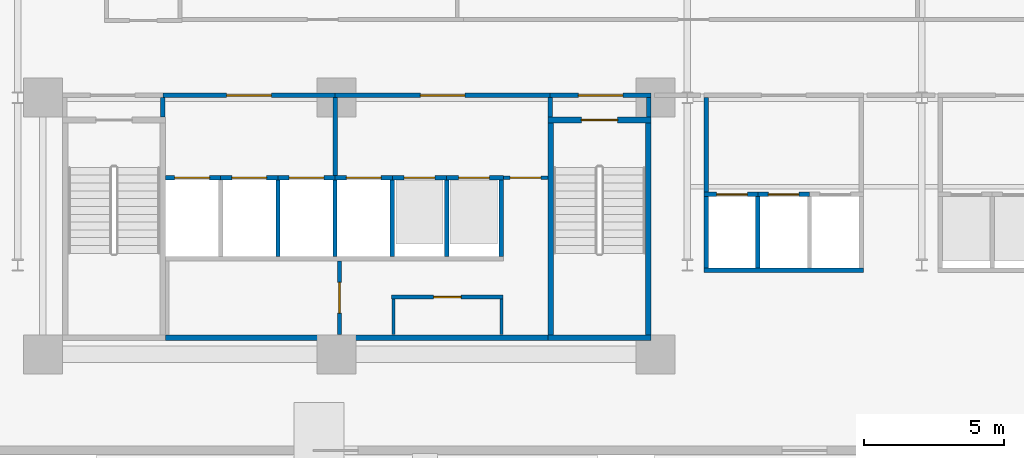
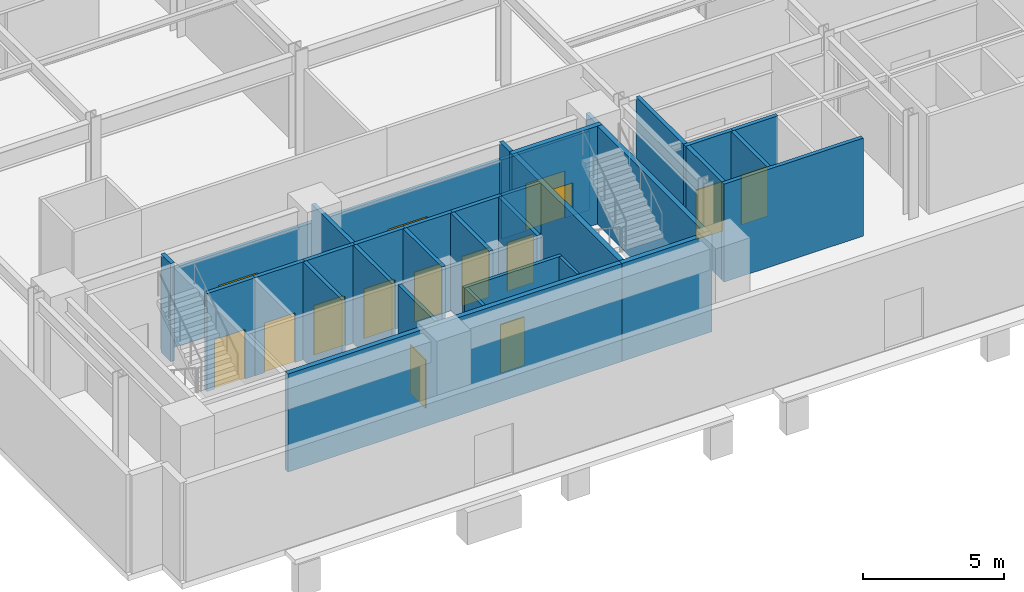
# One storey, part 13 of 26: 34 walls, 15 doors, 15 openings.
"""IFC4 building model written with IfcOpenShell, lengths in metres."""

from ifc_helpers import new_model, si_unit, direction, frame, frame_2d, origin, place, context, subcontext, project, spatial, rectangle, extrude, material, layer, layer_set, type_object, element, fill, save


model = new_model("IFC4")

# Units and contexts
model_context = context("Model", 3, precision=1e-05, world=origin(), true_north=direction((0.0, 1.0)))
body_context = subcontext(model_context, "Body", "Model", "MODEL_VIEW")
ifc_project = project(units=[si_unit("LENGTHUNIT", "METRE"), si_unit("AREAUNIT", "SQUARE_METRE"), si_unit("VOLUMEUNIT", "CUBIC_METRE"), si_unit("PLANEANGLEUNIT", "RADIAN"), si_unit("MASSUNIT", "GRAM", prefix="KILO")], contexts=[model_context])

# Site, building, storey
site_placement = place(None, origin())
site = spatial("IfcSite", under=ifc_project, at=site_placement, CompositionType="ELEMENT")
building_placement = place(site_placement, origin())
building = spatial("IfcBuilding", under=site, at=building_placement, Name="Varnakote Quay Hospital", CompositionType="ELEMENT")
storey_placement = place(building_placement, origin())
storey = spatial("IfcBuildingStorey", under=building, at=storey_placement, Name="L00", CompositionType="ELEMENT", Elevation=0.0)

# Wall
ifc_material_1 = material(Name="Fire-rated acoustic gypsum stud wall", Category="gypsum")
ifc_layer_1 = layer(ifc_material_1, 0.159912109375)
ifc_layer_set_1 = layer_set([ifc_layer_1], Name="Fire-rated acoustic gypsum stud wall")
wall_type_1 = type_object("IfcWallType", Name="WL-COMP-160", PredefinedType="PARTITIONING", material=ifc_layer_set_1)
wall_1_placement = place(storey_placement, frame((6.39990234375, 11.300048828125, 0.0), z_axis=(0.0, 0.0, 1.0), x_axis=(0.0, 1.0, 0.0)))
element("IfcWall", 1, at=wall_1_placement, inside=storey, type_object=wall_type_1, Name="L00 Firefighting Lobby West Wall", PredefinedType="PARTITIONING", context=body_context, shape_type="SweptSolid", body=[
    extrude(rectangle(XDim=0.699951171875, YDim=0.159912109375, at=frame_2d((0.35009765625, 0.0))), origin(), (0.0, 0.0, 1.0), 4.25),
])

# Wall, opening, door
wall_2_placement = place(storey_placement, frame((6.39990234375, 12.080078125, 0.0), z_axis=(0.0, 0.0, 1.0), x_axis=(1.0, 0.0, 0.0)))
wall_2 = element("IfcWall", 2, at=wall_2_placement, inside=storey, type_object=wall_type_1, Name="L00 Firefighting Lift Lobby Compartment Wall", PredefinedType="PARTITIONING", context=body_context, shape_type="SweptSolid", body=[
    extrude(rectangle(XDim=6.18017578125, YDim=0.159912109375, at=frame_2d((3.090087890625, 0.0))), origin(), (0.0, 0.0, 1.0), 3.425048828125),
])
opening_1_placement = place(wall_2_placement, frame((2.2900390625, 0.0, 0.0)))
opening_1 = element("IfcOpeningElement", 3, at=opening_1_placement, cuts=wall_2, Name="Opening D-FFL-L00", PredefinedType="OPENING", context=body_context, shape_type="SweptSolid", body=[
    extrude(rectangle(XDim=1.60009765625, YDim=2.050048828125, at=frame_2d((0.800048828125, 1.02490234375))), frame((0.0, 0.08984375, 0.0), z_axis=(0.0, -1.0, 0.0), x_axis=(1.0, 0.0, 0.0)), (0.0, 0.0, 1.0), 0.179931640625),
])
ifc_material_2 = material(Name="Fire-rated double smoke lobby door")
door_type_1 = type_object("IfcDoorType", Name="DR-LOBBY-FD60S-1600x2150", OperationType="NOTDEFINED", PredefinedType="DOOR", material=ifc_material_2)
door_1_placement = place(opening_1_placement, origin())
door_1 = element("IfcDoor", 4, at=door_1_placement, inside=storey, type_object=door_type_1, Name="L00 Firefighting Smoke Vestibule Door", OperationType="DOUBLE_DOOR_SINGLE_SWING", OverallHeight=2.050048828125, OverallWidth=1.60009765625, PredefinedType="DOOR", context=body_context, shape_type="SweptSolid", body=[
    extrude(rectangle(XDim=1.60009765625, YDim=2.050048828125, at=frame_2d((0.800048828125, 1.02490234375))), frame((0.0, 0.02490234375, 0.0), z_axis=(0.0, -1.0, 0.0), x_axis=(1.0, 0.0, 0.0)), (0.0, 0.0, 1.0), 0.050048828125),
])
fill(opening_1, door_1)

# Wall
wall_3_placement = place(storey_placement, frame((12.580078125, 9.2099609375, 0.0), z_axis=(0.0, 0.0, 1.0), x_axis=(0.0, 1.0, 0.0)))
element("IfcWall", 5, at=wall_3_placement, inside=storey, type_object=wall_type_1, Name="L00 Firefighting to Service Lobby Wall", PredefinedType="PARTITIONING", context=body_context, shape_type="SweptSolid", body=[
    extrude(rectangle(XDim=2.7900390625, YDim=0.159912109375, at=frame_2d((1.39501953125, 0.0))), origin(), (0.0, 0.0, 1.0), 4.25),
])

# Wall, opening, door
wall_4_placement = place(storey_placement, frame((12.580078125, 12.080078125, 0.0), z_axis=(0.0, 0.0, 1.0), x_axis=(1.0, 0.0, 0.0)))
wall_4 = element("IfcWall", 6, at=wall_4_placement, inside=storey, type_object=wall_type_1, Name="L00 Clinical Bed Lift Lobby Wall", PredefinedType="PARTITIONING", context=body_context, shape_type="SweptSolid", body=[
    extrude(rectangle(XDim=7.699951171875, YDim=0.159912109375, at=frame_2d((3.85009765625, 0.0))), origin(), (0.0, 0.0, 1.0), 3.425048828125),
])
opening_2_placement = place(wall_4_placement, frame((3.050048828125, 0.0, 0.0)))
opening_2 = element("IfcOpeningElement", 7, at=opening_2_placement, cuts=wall_4, Name="Opening D-SVL-L00", PredefinedType="OPENING", context=body_context, shape_type="SweptSolid", body=[
    extrude(rectangle(XDim=1.60009765625, YDim=2.050048828125, at=frame_2d((0.800048828125, 1.02490234375))), frame((0.0, 0.08984375, 0.0), z_axis=(0.0, -1.0, 0.0), x_axis=(1.0, 0.0, 0.0)), (0.0, 0.0, 1.0), 0.179931640625),
])
door_2_placement = place(opening_2_placement, origin())
door_2 = element("IfcDoor", 8, at=door_2_placement, inside=storey, type_object=door_type_1, Name="L00 Clinical Core Smoke Vestibule Door", OperationType="DOUBLE_DOOR_SINGLE_SWING", OverallHeight=2.050048828125, OverallWidth=1.60009765625, PredefinedType="DOOR", context=body_context, shape_type="SweptSolid", body=[
    extrude(rectangle(XDim=1.60009765625, YDim=2.050048828125, at=frame_2d((0.800048828125, 1.02490234375))), frame((0.0, 0.02490234375, 0.0), z_axis=(0.0, -1.0, 0.0), x_axis=(1.0, 0.0, 0.0)), (0.0, 0.0, 1.0), 0.050048828125),
])
fill(opening_2, door_2)

# Wall
wall_5_placement = place(storey_placement, frame((20.280029296875, 11.300048828125, 0.0), z_axis=(0.0, 0.0, 1.0), x_axis=(0.0, 1.0, 0.0)))
element("IfcWall", 9, at=wall_5_placement, inside=storey, type_object=wall_type_1, Name="L00 East Stair Vestibule Divider Wall", PredefinedType="PARTITIONING", context=body_context, shape_type="SweptSolid", body=[
    extrude(rectangle(XDim=0.699951171875, YDim=0.159912109375, at=frame_2d((0.35009765625, 0.0))), origin(), (0.0, 0.0, 1.0), 4.25),
])

# Wall, opening, door
wall_6_placement = place(storey_placement, frame((20.280029296875, 12.080078125, 0.0), z_axis=(0.0, 0.0, 1.0), x_axis=(1.0, 0.0, 0.0)))
wall_6 = element("IfcWall", 10, at=wall_6_placement, inside=storey, type_object=wall_type_1, Name="L00 East Stair Vestibule Smoke Wall", PredefinedType="PARTITIONING", context=body_context, shape_type="SweptSolid", body=[
    extrude(rectangle(XDim=3.619873046875, YDim=0.159912109375, at=frame_2d((1.81005859375, 0.0))), origin(), (0.0, 0.0, 1.0), 3.425048828125),
])
opening_3_placement = place(wall_6_placement, frame((1.010009765625, 0.0, 0.0)))
opening_3 = element("IfcOpeningElement", 11, at=opening_3_placement, cuts=wall_6, Name="Opening D-ST2L-L00", PredefinedType="OPENING", context=body_context, shape_type="SweptSolid", body=[
    extrude(rectangle(XDim=1.60009765625, YDim=2.050048828125, at=frame_2d((0.800048828125, 1.02490234375))), frame((0.0, 0.08984375, 0.0), z_axis=(0.0, -1.0, 0.0), x_axis=(1.0, 0.0, 0.0)), (0.0, 0.0, 1.0), 0.179931640625),
])
door_3_placement = place(opening_3_placement, origin())
door_3 = element("IfcDoor", 12, at=door_3_placement, inside=storey, type_object=door_type_1, Name="L00 East Stair Vestibule Smoke Door", OperationType="DOUBLE_DOOR_SINGLE_SWING", OverallHeight=2.050048828125, OverallWidth=1.60009765625, PredefinedType="DOOR", context=body_context, shape_type="SweptSolid", body=[
    extrude(rectangle(XDim=1.60009765625, YDim=2.050048828125, at=frame_2d((0.800048828125, 1.02490234375))), frame((0.0, 0.02490234375, 0.0), z_axis=(0.0, -1.0, 0.0), x_axis=(1.0, 0.0, 0.0)), (0.0, 0.0, 1.0), 0.050048828125),
])
fill(opening_3, door_3)

# Walls
wall_7_placement = place(storey_placement, frame((23.820068359375, 11.300048828125, 0.0), z_axis=(0.0, 0.0, 1.0), x_axis=(0.0, 1.0, 0.0)))
element("IfcWall", 13, at=wall_7_placement, inside=storey, type_object=wall_type_1, Name="L00 East Stair Vestibule East Wall", PredefinedType="PARTITIONING", context=body_context, shape_type="SweptSolid", body=[
    extrude(rectangle(XDim=0.699951171875, YDim=0.159912109375, at=frame_2d((0.35009765625, 0.0))), origin(), (0.0, 0.0, 1.0), 4.25),
])
wall_8_placement = place(storey_placement, frame((25.8701171875, 8.610107421875, 0.0), z_axis=(0.0, 0.0, 1.0), x_axis=(0.0, 1.0, 0.0)))
element("IfcWall", 14, at=wall_8_placement, inside=storey, type_object=wall_type_1, Name="L00 Low-Rise Lift Lobby West Wall", PredefinedType="PARTITIONING", context=body_context, shape_type="SweptSolid", body=[
    extrude(rectangle(XDim=3.389892578125, YDim=0.159912109375, at=frame_2d((1.69482421875, 0.0))), origin(), (0.0, 0.0, 1.0), 4.25),
])
ifc_material_3 = material(Name="Concrete N80 (f'c 80 MPa)", Category="concrete")
ifc_layer_2 = layer(ifc_material_3, 0.199951171875)
ifc_layer_set_2 = layer_set([ifc_layer_2], Name="Concrete N80 (f'c 80 MPa)")
wall_type_2 = type_object("IfcWallType", Name="WL-CORE-N80-200", PredefinedType="SHEAR", material=ifc_layer_set_2)
wall_9_placement = place(storey_placement, frame((6.5, 3.39990234375, 0.0), z_axis=(0.0, 0.0, 1.0), x_axis=(1.0, 0.0, 0.0)))
element("IfcWall", 15, at=wall_9_placement, inside=storey, type_object=wall_type_2, Name="L00 Rear Core South Shear Wall", PredefinedType="SHEAR", context=body_context, shape_type="SweptSolid", body=[
    extrude(rectangle(XDim=13.699951171875, YDim=0.199951171875, at=frame_2d((6.85009765625, 0.0))), origin(), (0.0, 0.0, 1.0), 4.25),
])
ifc_material_4 = material(Name="Concrete N50 (f'c 50 MPa)", Category="concrete")
ifc_layer_3 = layer(ifc_material_4, 0.14990234375)
ifc_layer_set_3 = layer_set([ifc_layer_3], Name="Concrete N50 (f'c 50 MPa)")
wall_type_3 = type_object("IfcWallType", Name="WL-SHAFT-N50-150", PredefinedType="SHEAR", material=ifc_layer_set_3)
for number, where, z_axis, x_axis, name in (
    (16, (10.52490234375, 6.300048828125, 0.0), (0.0, 0.0, 1.0), (0.0, 1.0, 0.0), "L00 LF-FF2 Hoistway Divider Wall"),
    (17, (12.574951171875, 6.300048828125, 0.0), (0.0, 0.0, 1.0), (0.0, 1.0, 0.0), "L00 LF-SV1 Hoistway Divider Wall"),
    (18, (14.625, 6.300048828125, 0.0), (0.0, 0.0, 1.0), (0.0, 1.0, 0.0), "L00 LF-SV2 Hoistway Divider Wall"),
    (19, (16.574951171875, 6.300048828125, 0.0), (0.0, 0.0, 1.0), (0.0, 1.0, 0.0), "L00 LF-PH1 Hoistway Divider Wall"),
):
    element("IfcWall", number, at=place(storey_placement, frame(where, z_axis=z_axis, x_axis=x_axis)), inside=storey, type_object=wall_type_3, Name=name, PredefinedType="SHEAR", context=body_context, shape_type="SweptSolid", body=[
        extrude(rectangle(XDim=2.75, YDim=0.14990234375, at=frame_2d((1.375, 0.0))), origin(), (0.0, 0.0, 1.0), 4.25),
    ])
wall_10_placement = place(storey_placement, frame((27.72509765625, 5.89990234375, 0.0), z_axis=(0.0, 0.0, 1.0), x_axis=(0.0, 1.0, 0.0)))
element("IfcWall", 20, at=wall_10_placement, inside=storey, type_object=wall_type_3, Name="L00 LF-PL1 Hoistway Divider Wall", PredefinedType="SHEAR", context=body_context, shape_type="SweptSolid", body=[
    extrude(rectangle(XDim=2.550048828125, YDim=0.14990234375, at=frame_2d((1.27490234375, 0.0))), origin(), (0.0, 0.0, 1.0), 4.25),
])
ifc_material_5 = material(Name="Concrete N50 (f'c 50 MPa)", Category="concrete")
ifc_layer_4 = layer(ifc_material_5, 0.159912109375)
ifc_layer_set_4 = layer_set([ifc_layer_4], Name="Concrete N50 (f'c 50 MPa)")
wall_type_4 = type_object("IfcWallType", Name="WL-SHAFT-N50-160", PredefinedType="SHEAR", material=ifc_layer_set_4)
wall_11_placement = place(storey_placement, frame((18.530029296875, 6.300048828125, 0.0), z_axis=(0.0, 0.0, 1.0), x_axis=(0.0, 1.0, 0.0)))
element("IfcWall", 21, at=wall_11_placement, inside=storey, type_object=wall_type_4, Name="L00 REAR Lift Bank East Shear Wall", PredefinedType="SHEAR", context=body_context, shape_type="SweptSolid", body=[
    extrude(rectangle(XDim=2.75, YDim=0.159912109375, at=frame_2d((1.375, 0.0))), origin(), (0.0, 0.0, 1.0), 4.25),
])

# Wall, opening, door
wall_12_placement = place(storey_placement, frame((6.5, 9.1298828125, 0.0), z_axis=(0.0, 0.0, 1.0), x_axis=(1.0, 0.0, 0.0)))
wall_12 = element("IfcWall", 22, at=wall_12_placement, inside=storey, type_object=wall_type_4, Name="L00 LF-FF1 Hoistway Front Wall", PredefinedType="SHEAR", context=body_context, shape_type="SweptSolid", body=[
    extrude(rectangle(XDim=1.97509765625, YDim=0.159912109375, at=frame_2d((0.987548828125, 0.0))), origin(), (0.0, 0.0, 1.0), 4.25),
])
opening_4_placement = place(wall_12_placement, frame((0.324951171875, 0.0, 0.0)))
opening_4 = element("IfcOpeningElement", 23, at=opening_4_placement, cuts=wall_12, Name="Opening LD-FF1-L00", PredefinedType="OPENING", context=body_context, shape_type="SweptSolid", body=[
    extrude(rectangle(XDim=1.25, YDim=2.14990234375, at=frame_2d((0.625, 1.074951171875))), frame((0.0, 0.08984375, 0.0), z_axis=(0.0, -1.0, 0.0), x_axis=(1.0, 0.0, 0.0)), (0.0, 0.0, 1.0), 0.179931640625),
])
ifc_material_6 = material(Name="Stainless steel lift landing sliding door", Category="steel")
door_type_2 = type_object("IfcDoorType", Name="DR-LIFT-LD-1250x2150", OperationType="NOTDEFINED", PredefinedType="DOOR", material=ifc_material_6)
door_4_placement = place(opening_4_placement, origin())
door_4 = element("IfcDoor", 24, at=door_4_placement, inside=storey, type_object=door_type_2, Name="L00 LF-FF1 Lift Landing Sliding Door", OperationType="SLIDING_TO_LEFT", OverallHeight=2.14990234375, OverallWidth=1.25, PredefinedType="DOOR", context=body_context, shape_type="SweptSolid", body=[
    extrude(rectangle(XDim=1.25, YDim=2.14990234375, at=frame_2d((0.625, 1.074951171875))), frame((0.0, 0.02490234375, 0.0), z_axis=(0.0, -1.0, 0.0), x_axis=(1.0, 0.0, 0.0)), (0.0, 0.0, 1.0), 0.050048828125),
])
fill(opening_4, door_4)

wall_13_placement = place(storey_placement, frame((8.47509765625, 9.1298828125, 0.0), z_axis=(0.0, 0.0, 1.0), x_axis=(1.0, 0.0, 0.0)))
wall_13 = element("IfcWall", 25, at=wall_13_placement, inside=storey, type_object=wall_type_4, Name="L00 LF-FF2 Hoistway Front Wall", PredefinedType="SHEAR", context=body_context, shape_type="SweptSolid", body=[
    extrude(rectangle(XDim=2.0498046875, YDim=0.159912109375, at=frame_2d((1.02490234375, 0.0))), origin(), (0.0, 0.0, 1.0), 4.25),
])
opening_5_placement = place(wall_13_placement, frame((0.39990234375, 0.0, 0.0)))
opening_5 = element("IfcOpeningElement", 26, at=opening_5_placement, cuts=wall_13, Name="Opening LD-FF2-L00", PredefinedType="OPENING", context=body_context, shape_type="SweptSolid", body=[
    extrude(rectangle(XDim=1.25, YDim=2.14990234375, at=frame_2d((0.625, 1.074951171875))), frame((0.0, 0.08984375, 0.0), z_axis=(0.0, -1.0, 0.0), x_axis=(1.0, 0.0, 0.0)), (0.0, 0.0, 1.0), 0.179931640625),
])
door_5_placement = place(opening_5_placement, origin())
door_5 = element("IfcDoor", 27, at=door_5_placement, inside=storey, type_object=door_type_2, Name="L00 LF-FF2 Lift Landing Sliding Door", OperationType="SLIDING_TO_LEFT", OverallHeight=2.14990234375, OverallWidth=1.25, PredefinedType="DOOR", context=body_context, shape_type="SweptSolid", body=[
    extrude(rectangle(XDim=1.25, YDim=2.14990234375, at=frame_2d((0.625, 1.074951171875))), frame((0.0, 0.02490234375, 0.0), z_axis=(0.0, -1.0, 0.0), x_axis=(1.0, 0.0, 0.0)), (0.0, 0.0, 1.0), 0.050048828125),
])
fill(opening_5, door_5)

wall_14_placement = place(storey_placement, frame((10.52490234375, 9.1298828125, 0.0), z_axis=(0.0, 0.0, 1.0), x_axis=(1.0, 0.0, 0.0)))
wall_14 = element("IfcWall", 28, at=wall_14_placement, inside=storey, type_object=wall_type_4, Name="L00 LF-SV1 Hoistway Front Wall", PredefinedType="SHEAR", context=body_context, shape_type="SweptSolid", body=[
    extrude(rectangle(XDim=2.050048828125, YDim=0.159912109375, at=frame_2d((1.02490234375, 0.0))), origin(), (0.0, 0.0, 1.0), 4.25),
])
opening_6_placement = place(wall_14_placement, frame((0.39990234375, 0.0, 0.0)))
opening_6 = element("IfcOpeningElement", 29, at=opening_6_placement, cuts=wall_14, Name="Opening LD-SV1-L00", PredefinedType="OPENING", context=body_context, shape_type="SweptSolid", body=[
    extrude(rectangle(XDim=1.25, YDim=2.14990234375, at=frame_2d((0.625, 1.074951171875))), frame((0.0, 0.08984375, 0.0), z_axis=(0.0, -1.0, 0.0), x_axis=(1.0, 0.0, 0.0)), (0.0, 0.0, 1.0), 0.179931640625),
])
door_6_placement = place(opening_6_placement, origin())
door_6 = element("IfcDoor", 30, at=door_6_placement, inside=storey, type_object=door_type_2, Name="L00 LF-SV1 Lift Landing Sliding Door", OperationType="SLIDING_TO_LEFT", OverallHeight=2.14990234375, OverallWidth=1.25, PredefinedType="DOOR", context=body_context, shape_type="SweptSolid", body=[
    extrude(rectangle(XDim=1.25, YDim=2.14990234375, at=frame_2d((0.625, 1.074951171875))), frame((0.0, 0.02490234375, 0.0), z_axis=(0.0, -1.0, 0.0), x_axis=(1.0, 0.0, 0.0)), (0.0, 0.0, 1.0), 0.050048828125),
])
fill(opening_6, door_6)

wall_15_placement = place(storey_placement, frame((12.574951171875, 9.1298828125, 0.0), z_axis=(0.0, 0.0, 1.0), x_axis=(1.0, 0.0, 0.0)))
wall_15 = element("IfcWall", 31, at=wall_15_placement, inside=storey, type_object=wall_type_4, Name="L00 LF-SV2 Hoistway Front Wall", PredefinedType="SHEAR", context=body_context, shape_type="SweptSolid", body=[
    extrude(rectangle(XDim=2.050048828125, YDim=0.159912109375, at=frame_2d((1.02490234375, 0.0))), origin(), (0.0, 0.0, 1.0), 4.25),
])
opening_7_placement = place(wall_15_placement, frame((0.39990234375, 0.0, 0.0)))
opening_7 = element("IfcOpeningElement", 32, at=opening_7_placement, cuts=wall_15, Name="Opening LD-SV2-L00", PredefinedType="OPENING", context=body_context, shape_type="SweptSolid", body=[
    extrude(rectangle(XDim=1.25, YDim=2.14990234375, at=frame_2d((0.625, 1.074951171875))), frame((0.0, 0.08984375, 0.0), z_axis=(0.0, -1.0, 0.0), x_axis=(1.0, 0.0, 0.0)), (0.0, 0.0, 1.0), 0.179931640625),
])
door_7_placement = place(opening_7_placement, origin())
door_7 = element("IfcDoor", 33, at=door_7_placement, inside=storey, type_object=door_type_2, Name="L00 LF-SV2 Lift Landing Sliding Door", OperationType="SLIDING_TO_LEFT", OverallHeight=2.14990234375, OverallWidth=1.25, PredefinedType="DOOR", context=body_context, shape_type="SweptSolid", body=[
    extrude(rectangle(XDim=1.25, YDim=2.14990234375, at=frame_2d((0.625, 1.074951171875))), frame((0.0, 0.02490234375, 0.0), z_axis=(0.0, -1.0, 0.0), x_axis=(1.0, 0.0, 0.0)), (0.0, 0.0, 1.0), 0.050048828125),
])
fill(opening_7, door_7)

wall_16_placement = place(storey_placement, frame((14.625, 9.1298828125, 0.0), z_axis=(0.0, 0.0, 1.0), x_axis=(1.0, 0.0, 0.0)))
wall_16 = element("IfcWall", 34, at=wall_16_placement, inside=storey, type_object=wall_type_4, Name="L00 LF-PH1 Hoistway Front Wall", PredefinedType="SHEAR", context=body_context, shape_type="SweptSolid", body=[
    extrude(rectangle(XDim=1.949951171875, YDim=0.159912109375, at=frame_2d((0.97509765625, 0.0))), origin(), (0.0, 0.0, 1.0), 4.25),
])
opening_8_placement = place(wall_16_placement, frame((0.425048828125, 0.0, 0.0)))
opening_8 = element("IfcOpeningElement", 35, at=opening_8_placement, cuts=wall_16, Name="Opening LD-PH1-L00", PredefinedType="OPENING", context=body_context, shape_type="SweptSolid", body=[
    extrude(rectangle(XDim=1.10009765625, YDim=2.14990234375, at=frame_2d((0.550048828125, 1.074951171875))), frame((0.0, 0.08984375, 0.0), z_axis=(0.0, -1.0, 0.0), x_axis=(1.0, 0.0, 0.0)), (0.0, 0.0, 1.0), 0.179931640625),
])
ifc_material_7 = material(Name="Brushed bronze lift landing sliding door")
door_type_3 = type_object("IfcDoorType", Name="DR-LIFT-LD-1100x2150", OperationType="NOTDEFINED", PredefinedType="DOOR", material=ifc_material_7)
door_8_placement = place(opening_8_placement, origin())
door_8 = element("IfcDoor", 36, at=door_8_placement, inside=storey, type_object=door_type_3, Name="L00 LF-PH1 Lift Landing Sliding Door", OperationType="SLIDING_TO_LEFT", OverallHeight=2.14990234375, OverallWidth=1.10009765625, PredefinedType="DOOR", context=body_context, shape_type="SweptSolid", body=[
    extrude(rectangle(XDim=1.10009765625, YDim=2.14990234375, at=frame_2d((0.550048828125, 1.074951171875))), frame((0.0, 0.02490234375, 0.0), z_axis=(0.0, -1.0, 0.0), x_axis=(1.0, 0.0, 0.0)), (0.0, 0.0, 1.0), 0.050048828125),
])
fill(opening_8, door_8)

wall_17_placement = place(storey_placement, frame((16.574951171875, 9.1298828125, 0.0), z_axis=(0.0, 0.0, 1.0), x_axis=(1.0, 0.0, 0.0)))
wall_17 = element("IfcWall", 37, at=wall_17_placement, inside=storey, type_object=wall_type_4, Name="L00 LF-PH2 Hoistway Front Wall", PredefinedType="SHEAR", context=body_context, shape_type="SweptSolid", body=[
    extrude(rectangle(XDim=2.03515625, YDim=0.159912109375, at=frame_2d((1.017578125, 0.0))), origin(), (0.0, 0.0, 1.0), 4.25),
])
opening_9_placement = place(wall_17_placement, frame((0.425048828125, 0.0, 0.0)))
opening_9 = element("IfcOpeningElement", 38, at=opening_9_placement, cuts=wall_17, Name="Opening LD-PH2-L00", PredefinedType="OPENING", context=body_context, shape_type="SweptSolid", body=[
    extrude(rectangle(XDim=1.10009765625, YDim=2.14990234375, at=frame_2d((0.550048828125, 1.074951171875))), frame((0.0, 0.08984375, 0.0), z_axis=(0.0, -1.0, 0.0), x_axis=(1.0, 0.0, 0.0)), (0.0, 0.0, 1.0), 0.179931640625),
])
door_9_placement = place(opening_9_placement, origin())
door_9 = element("IfcDoor", 39, at=door_9_placement, inside=storey, type_object=door_type_3, Name="L00 LF-PH2 Lift Landing Sliding Door", OperationType="SLIDING_TO_LEFT", OverallHeight=2.14990234375, OverallWidth=1.10009765625, PredefinedType="DOOR", context=body_context, shape_type="SweptSolid", body=[
    extrude(rectangle(XDim=1.10009765625, YDim=2.14990234375, at=frame_2d((0.550048828125, 1.074951171875))), frame((0.0, 0.02490234375, 0.0), z_axis=(0.0, -1.0, 0.0), x_axis=(1.0, 0.0, 0.0)), (0.0, 0.0, 1.0), 0.050048828125),
])
fill(opening_9, door_9)

# Walls
wall_18_placement = place(storey_placement, frame((25.7900390625, 5.820068359375, 0.0), z_axis=(0.0, 0.0, 1.0), x_axis=(1.0, 0.0, 0.0)))
element("IfcWall", 40, at=wall_18_placement, inside=storey, type_object=wall_type_4, Name="L00 LOW Lift Bank Back Shear Wall", PredefinedType="SHEAR", context=body_context, shape_type="SweptSolid", body=[
    extrude(rectangle(XDim=5.719970703125, YDim=0.159912109375, at=frame_2d((2.85986328125, 0.0))), origin(), (0.0, 0.0, 1.0), 4.25),
])
wall_19_placement = place(storey_placement, frame((25.8701171875, 5.89990234375, 0.0), z_axis=(0.0, 0.0, 1.0), x_axis=(0.0, 1.0, 0.0)))
element("IfcWall", 41, at=wall_19_placement, inside=storey, type_object=wall_type_4, Name="L00 LOW Lift Bank West Shear Wall", PredefinedType="SHEAR", context=body_context, shape_type="SweptSolid", body=[
    extrude(rectangle(XDim=2.550048828125, YDim=0.159912109375, at=frame_2d((1.27490234375, 0.0))), origin(), (0.0, 0.0, 1.0), 4.25),
])

# Wall, opening, door
wall_20_placement = place(storey_placement, frame((25.7900390625, 8.530029296875, 0.0), z_axis=(0.0, 0.0, 1.0), x_axis=(1.0, 0.0, 0.0)))
wall_20 = element("IfcWall", 42, at=wall_20_placement, inside=storey, type_object=wall_type_4, Name="L00 LF-PL1 Hoistway Front Wall", PredefinedType="SHEAR", context=body_context, shape_type="SweptSolid", body=[
    extrude(rectangle(XDim=1.93505859375, YDim=0.159912109375, at=frame_2d((0.967529296875, 0.0))), origin(), (0.0, 0.0, 1.0), 4.25),
])
opening_10_placement = place(wall_20_placement, frame((0.4599609375, 0.0, 0.0)))
opening_10 = element("IfcOpeningElement", 43, at=opening_10_placement, cuts=wall_20, Name="Opening LD-PL1-L00", PredefinedType="OPENING", context=body_context, shape_type="SweptSolid", body=[
    extrude(rectangle(XDim=1.10009765625, YDim=2.14990234375, at=frame_2d((0.550048828125, 1.074951171875))), frame((0.0, 0.08984375, 0.0), z_axis=(0.0, -1.0, 0.0), x_axis=(1.0, 0.0, 0.0)), (0.0, 0.0, 1.0), 0.179931640625),
])
door_10_placement = place(opening_10_placement, origin())
door_10 = element("IfcDoor", 44, at=door_10_placement, inside=storey, type_object=door_type_3, Name="L00 LF-PL1 Lift Landing Sliding Door", OperationType="SLIDING_TO_LEFT", OverallHeight=2.14990234375, OverallWidth=1.10009765625, PredefinedType="DOOR", context=body_context, shape_type="SweptSolid", body=[
    extrude(rectangle(XDim=1.10009765625, YDim=2.14990234375, at=frame_2d((0.550048828125, 1.074951171875))), frame((0.0, 0.02490234375, 0.0), z_axis=(0.0, -1.0, 0.0), x_axis=(1.0, 0.0, 0.0)), (0.0, 0.0, 1.0), 0.050048828125),
])
fill(opening_10, door_10)

wall_21_placement = place(storey_placement, frame((27.72509765625, 8.530029296875, 0.0), z_axis=(0.0, 0.0, 1.0), x_axis=(1.0, 0.0, 0.0)))
wall_21 = element("IfcWall", 45, at=wall_21_placement, inside=storey, type_object=wall_type_4, Name="L00 LF-PL2 Hoistway Front Wall", PredefinedType="SHEAR", context=body_context, shape_type="SweptSolid", body=[
    extrude(rectangle(XDim=1.849853515625, YDim=0.159912109375, at=frame_2d((0.9248046875, 0.0))), origin(), (0.0, 0.0, 1.0), 4.25),
])
opening_11_placement = place(wall_21_placement, frame((0.375, 0.0, 0.0)))
opening_11 = element("IfcOpeningElement", 46, at=opening_11_placement, cuts=wall_21, Name="Opening LD-PL2-L00", PredefinedType="OPENING", context=body_context, shape_type="SweptSolid", body=[
    extrude(rectangle(XDim=1.10009765625, YDim=2.14990234375, at=frame_2d((0.550048828125, 1.074951171875))), frame((0.0, 0.08984375, 0.0), z_axis=(0.0, -1.0, 0.0), x_axis=(1.0, 0.0, 0.0)), (0.0, 0.0, 1.0), 0.179931640625),
])
door_11_placement = place(opening_11_placement, origin())
door_11 = element("IfcDoor", 47, at=door_11_placement, inside=storey, type_object=door_type_3, Name="L00 LF-PL2 Lift Landing Sliding Door", OperationType="SLIDING_TO_LEFT", OverallHeight=2.14990234375, OverallWidth=1.10009765625, PredefinedType="DOOR", context=body_context, shape_type="SweptSolid", body=[
    extrude(rectangle(XDim=1.10009765625, YDim=2.14990234375, at=frame_2d((0.550048828125, 1.074951171875))), frame((0.0, 0.02490234375, 0.0), z_axis=(0.0, -1.0, 0.0), x_axis=(1.0, 0.0, 0.0)), (0.0, 0.0, 1.0), 0.050048828125),
])
fill(opening_11, door_11)

# Walls
ifc_material_8 = material(Name="Concrete N50 (f'c 50 MPa)", Category="concrete")
ifc_layer_5 = layer(ifc_material_8, 0.199951171875)
ifc_layer_set_5 = layer_set([ifc_layer_5], Name="Concrete N50 (f'c 50 MPa)")
wall_type_5 = type_object("IfcWallType", Name="WL-SHAFT-N50-200", PredefinedType="SHEAR", material=ifc_layer_set_5)
wall_22_placement = place(storey_placement, frame((20.199951171875, 3.39990234375, 0.0), z_axis=(0.0, 0.0, 1.0), x_axis=(1.0, 0.0, 0.0)))
element("IfcWall", 48, at=wall_22_placement, inside=storey, type_object=wall_type_5, Name="L00 Stair ST2 South Shaft Wall", PredefinedType="SHEAR", context=body_context, shape_type="SweptSolid", body=[
    extrude(rectangle(XDim=3.699951171875, YDim=0.199951171875, at=frame_2d((1.85009765625, 0.0))), origin(), (0.0, 0.0, 1.0), 4.25),
])
for number, where, z_axis, x_axis, name in (
    (49, (20.300048828125, 3.5, 0.0), (0.0, 0.0, 1.0), (0.0, 1.0, 0.0), "L00 Stair ST2 West Shaft Wall"),
    (50, (23.800048828125, 3.5, 0.0), (0.0, 0.0, 1.0), (0.0, 1.0, 0.0), "L00 Stair ST2 East Shaft Wall"),
):
    element("IfcWall", number, at=place(storey_placement, frame(where, z_axis=z_axis, x_axis=x_axis)), inside=storey, type_object=wall_type_5, Name=name, PredefinedType="SHEAR", context=body_context, shape_type="SweptSolid", body=[
        extrude(rectangle(XDim=7.60009765625, YDim=0.199951171875, at=frame_2d((3.800048828125, 0.0))), origin(), (0.0, 0.0, 1.0), 4.25),
    ])

# Wall, opening, door
wall_23_placement = place(storey_placement, frame((20.199951171875, 11.199951171875, 0.0), z_axis=(0.0, 0.0, 1.0), x_axis=(1.0, 0.0, 0.0)))
wall_23 = element("IfcWall", 51, at=wall_23_placement, inside=storey, type_object=wall_type_5, Name="L00 Stair ST2 Exit Wall", PredefinedType="SHEAR", context=body_context, shape_type="SweptSolid", body=[
    extrude(rectangle(XDim=3.699951171875, YDim=0.199951171875, at=frame_2d((1.85009765625, 0.0))), origin(), (0.0, 0.0, 1.0), 4.25),
])
opening_12_placement = place(wall_23_placement, frame((1.199951171875, 0.0, 0.0)))
opening_12 = element("IfcOpeningElement", 52, at=opening_12_placement, cuts=wall_23, Name="Opening D-ST2-L00", PredefinedType="OPENING", context=body_context, shape_type="SweptSolid", body=[
    extrude(rectangle(XDim=1.300048828125, YDim=2.14990234375, at=frame_2d((0.64990234375, 1.074951171875))), frame((0.0, 0.10986328125, 0.0), z_axis=(0.0, -1.0, 0.0), x_axis=(1.0, 0.0, 0.0)), (0.0, 0.0, 1.0), 0.219970703125),
])
ifc_material_9 = material(Name="Fire-rated ceramic-glazed timber exit door", Category="wood")
door_type_4 = type_object("IfcDoorType", Name="DR-STAIR-FD60S-1300x2150", OperationType="NOTDEFINED", PredefinedType="DOOR", material=ifc_material_9)
door_12_placement = place(opening_12_placement, origin())
door_12 = element("IfcDoor", 53, at=door_12_placement, inside=storey, type_object=door_type_4, Name="L00 Stair ST2 Fire Exit Door", OperationType="SINGLE_SWING_RIGHT", OverallHeight=2.14990234375, OverallWidth=1.300048828125, PredefinedType="DOOR", context=body_context, shape_type="SweptSolid", body=[
    extrude(rectangle(XDim=1.300048828125, YDim=2.14990234375, at=frame_2d((0.64990234375, 1.074951171875))), frame((0.0, 0.02490234375, 0.0), z_axis=(0.0, -1.0, 0.0), x_axis=(1.0, 0.0, 0.0)), (0.0, 0.0, 1.0), 0.050048828125),
])
fill(opening_12, door_12)

# Walls
ifc_material_10 = material(Name="Smoke-proof clinical partition", Category="gypsum")
ifc_layer_6 = layer(ifc_material_10, 0.1201171875)
ifc_layer_set_6 = layer_set([ifc_layer_6], Name="Smoke-proof clinical partition")
wall_type_6 = type_object("IfcWallType", Name="WL-SMOKE-120", PredefinedType="PARTITIONING", material=ifc_layer_set_6)
for number, where, z_axis, x_axis, name in (
    (54, (14.669921875, 3.52001953125, 0.0), (0.0, 0.0, 1.0), (0.0, 1.0, 0.0), "L00 Core WC West Wall"),
    (55, (18.5400390625, 3.52001953125, 0.0), (0.0, 0.0, 1.0), (0.0, 1.0, 0.0), "L00 Core WC East Wall"),
):
    element("IfcWall", number, at=place(storey_placement, frame(where, z_axis=z_axis, x_axis=x_axis)), inside=storey, type_object=wall_type_6, Name=name, PredefinedType="PARTITIONING", context=body_context, shape_type="SweptSolid", body=[
        extrude(rectangle(XDim=1.260009765625, YDim=0.1201171875, at=frame_2d((0.6298828125, 0.0))), origin(), (0.0, 0.0, 1.0), 4.25),
    ])

# Wall, opening, door
ifc_material_11 = material(Name="Fire-rated clinical gypsum partition", Category="gypsum")
ifc_layer_7 = layer(ifc_material_11, 0.139892578125)
ifc_layer_set_7 = layer_set([ifc_layer_7], Name="Fire-rated clinical gypsum partition")
wall_type_7 = type_object("IfcWallType", Name="WL-WARD-140", PredefinedType="PARTITIONING", material=ifc_layer_set_7)
wall_24_placement = place(storey_placement, frame((12.72998046875, 3.52001953125, 0.0), z_axis=(0.0, 0.0, 1.0), x_axis=(0.0, 1.0, 0.0)))
wall_24 = element("IfcWall", 56, at=wall_24_placement, inside=storey, type_object=wall_type_7, Name="L00 Core Clean Equipment Store East Wall", PredefinedType="PARTITIONING", context=body_context, shape_type="SweptSolid", body=[
    extrude(rectangle(XDim=2.619873046875, YDim=0.139892578125, at=frame_2d((1.31005859375, 0.0))), origin(), (0.0, 0.0, 1.0), 4.25),
])
opening_13_placement = place(wall_24_placement, frame((0.760009765625, 0.0, 0.0)))
opening_13 = element("IfcOpeningElement", 57, at=opening_13_placement, cuts=wall_24, Name="Opening D-L00-CR01", PredefinedType="OPENING", context=body_context, shape_type="SweptSolid", body=[
    extrude(rectangle(XDim=1.10009765625, YDim=2.10009765625, at=frame_2d((0.550048828125, 1.050048828125))), frame((0.0, 0.079833984375, 0.0), z_axis=(0.0, -1.0, 0.0), x_axis=(1.0, 0.0, 0.0)), (0.0, 0.0, 1.0), 0.159912109375),
])
ifc_material_12 = material(Name="Acoustic timber clinical consult door", Category="wood")
door_type_5 = type_object("IfcDoorType", Name="DR-CLIN-FD30S-1100x2100", OperationType="NOTDEFINED", PredefinedType="DOOR", material=ifc_material_12)
door_13_placement = place(opening_13_placement, origin())
door_13 = element("IfcDoor", 58, at=door_13_placement, inside=storey, type_object=door_type_5, Name="L00 Core Clean Equipment Store Door", OperationType="SINGLE_SWING_LEFT", OverallHeight=2.10009765625, OverallWidth=1.10009765625, PredefinedType="DOOR", context=body_context, shape_type="SweptSolid", body=[
    extrude(rectangle(XDim=1.10009765625, YDim=2.10009765625, at=frame_2d((0.550048828125, 1.050048828125))), frame((0.0, 0.02490234375, 0.0), z_axis=(0.0, -1.0, 0.0), x_axis=(1.0, 0.0, 0.0)), (0.0, 0.0, 1.0), 0.050048828125),
])
fill(opening_13, door_13)

wall_25_placement = place(storey_placement, frame((14.60009765625, 4.85009765625, 0.0), z_axis=(0.0, 0.0, 1.0), x_axis=(1.0, 0.0, 0.0)))
wall_25 = element("IfcWall", 59, at=wall_25_placement, inside=storey, type_object=wall_type_7, Name="L00 Core Staff Sanitary WC North Wall", PredefinedType="PARTITIONING", context=body_context, shape_type="SweptSolid", body=[
    extrude(rectangle(XDim=4.0, YDim=0.139892578125, at=frame_2d((2.0, 0.0))), origin(), (0.0, 0.0, 1.0), 4.25),
])
opening_14_placement = place(wall_25_placement, frame((1.510009765625, 0.0, 0.0)))
opening_14 = element("IfcOpeningElement", 60, at=opening_14_placement, cuts=wall_25, Name="Opening D-L00-CR02", PredefinedType="OPENING", context=body_context, shape_type="SweptSolid", body=[
    extrude(rectangle(XDim=0.97998046875, YDim=2.10009765625, at=frame_2d((0.489990234375, 1.050048828125))), frame((0.0, 0.079833984375, 0.0), z_axis=(0.0, -1.0, 0.0), x_axis=(1.0, 0.0, 0.0)), (0.0, 0.0, 1.0), 0.159912109375),
])
ifc_material_13 = material(Name="Accessible sanitary compartment door")
door_type_6 = type_object("IfcDoorType", Name="DR-WC-980x2100", OperationType="NOTDEFINED", PredefinedType="DOOR", material=ifc_material_13)
door_14_placement = place(opening_14_placement, origin())
door_14 = element("IfcDoor", 61, at=door_14_placement, inside=storey, type_object=door_type_6, Name="L00 Core Staff Sanitary WC Door", OperationType="SINGLE_SWING_RIGHT", OverallHeight=2.10009765625, OverallWidth=0.97998046875, PredefinedType="DOOR", context=body_context, shape_type="SweptSolid", body=[
    extrude(rectangle(XDim=0.97998046875, YDim=2.10009765625, at=frame_2d((0.489990234375, 1.050048828125))), frame((0.0, 0.02490234375, 0.0), z_axis=(0.0, -1.0, 0.0), x_axis=(1.0, 0.0, 0.0)), (0.0, 0.0, 1.0), 0.050048828125),
])
fill(opening_14, door_14)

wall_26_placement = place(storey_placement, frame((18.610107421875, 9.1298828125, 0.0), z_axis=(0.0, 0.0, 1.0), x_axis=(1.0, 0.0, 0.0)))
wall_26 = element("IfcWall", 62, at=wall_26_placement, inside=storey, type_object=wall_type_7, Name="L00 Core Service Corridor North Door Wall", PredefinedType="PARTITIONING", context=body_context, shape_type="SweptSolid", body=[
    extrude(rectangle(XDim=1.58984375, YDim=0.139892578125, at=frame_2d((0.794921875, 0.0))), origin(), (0.0, 0.0, 1.0), 4.25),
])
opening_15_placement = place(wall_26_placement, frame((0.239990234375, 0.0, 0.0)))
opening_15 = element("IfcOpeningElement", 63, at=opening_15_placement, cuts=wall_26, Name="Opening D-CSRV-L00", PredefinedType="OPENING", context=body_context, shape_type="SweptSolid", body=[
    extrude(rectangle(XDim=1.10009765625, YDim=2.10009765625, at=frame_2d((0.550048828125, 1.050048828125))), frame((0.0, 0.079833984375, 0.0), z_axis=(0.0, -1.0, 0.0), x_axis=(1.0, 0.0, 0.0)), (0.0, 0.0, 1.0), 0.159912109375),
])
door_15_placement = place(opening_15_placement, origin())
door_15 = element("IfcDoor", 64, at=door_15_placement, inside=storey, type_object=door_type_5, Name="L00 Core Service Corridor Door", OperationType="SINGLE_SWING_LEFT", OverallHeight=2.10009765625, OverallWidth=1.10009765625, PredefinedType="DOOR", context=body_context, shape_type="SweptSolid", body=[
    extrude(rectangle(XDim=1.10009765625, YDim=2.10009765625, at=frame_2d((0.550048828125, 1.050048828125))), frame((0.0, 0.02490234375, 0.0), z_axis=(0.0, -1.0, 0.0), x_axis=(1.0, 0.0, 0.0)), (0.0, 0.0, 1.0), 0.050048828125),
])
fill(opening_15, door_15)

save(model, "model.ifc")
